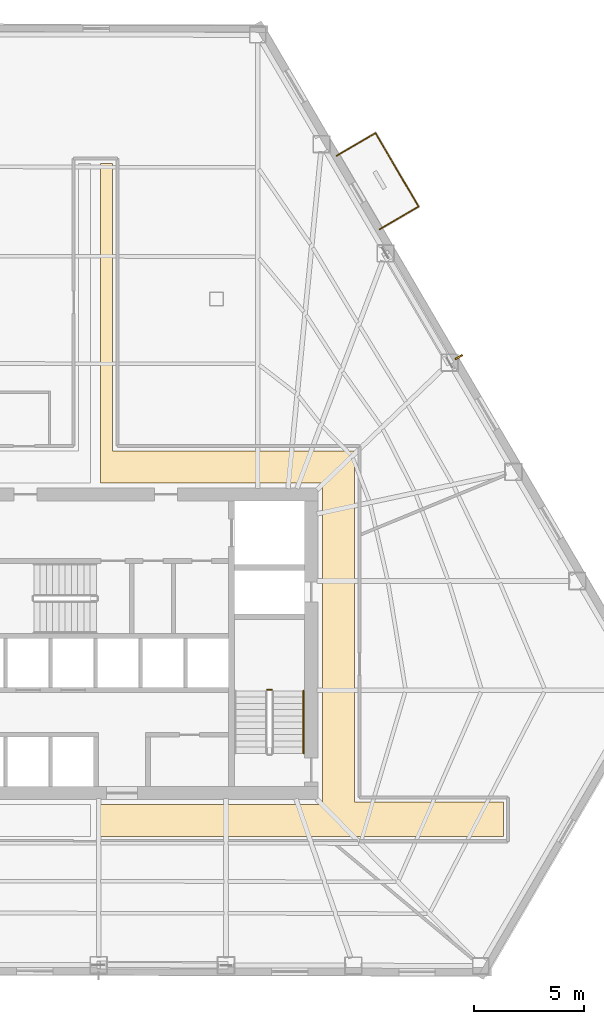
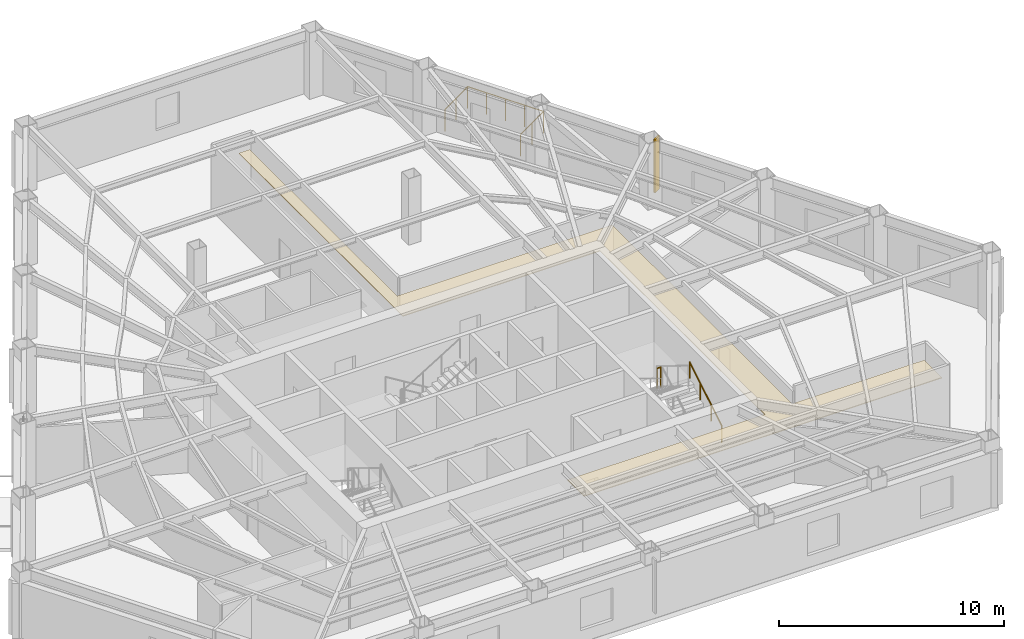
# One storey, part 11 of 11: 5 railings, 1 covering, 1 shading device.
"""IFC4 building model written with IfcOpenShell, lengths in metres."""

from ifc_helpers import new_model, si_unit, direction, frame, origin, origin_2d, place, context, subcontext, project, spatial, polyline, rectangle, circle, outline, extrude, material, layer, layer_set, type_object, element, save


model = new_model("IFC4")

# Units and contexts
model_context = context("Model", 3, precision=1e-05, world=origin(), true_north=direction((0.0, 1.0)))
body_context = subcontext(model_context, "Body", "Model", "MODEL_VIEW")
ifc_project = project(units=[si_unit("LENGTHUNIT", "METRE"), si_unit("AREAUNIT", "SQUARE_METRE"), si_unit("VOLUMEUNIT", "CUBIC_METRE"), si_unit("PLANEANGLEUNIT", "RADIAN"), si_unit("MASSUNIT", "GRAM", prefix="KILO")], contexts=[model_context])

# Site, building, storey
site_placement = place(None, origin())
site = spatial("IfcSite", under=ifc_project, at=site_placement, CompositionType="ELEMENT")
building_placement = place(site_placement, origin())
building = spatial("IfcBuilding", under=site, at=building_placement, Name="Kavelnor Concourse Tower", CompositionType="ELEMENT")
storey_placement = place(building_placement, frame((0.0, 0.0, 56.050048828125)))
storey = spatial("IfcBuildingStorey", under=building, at=storey_placement, Name="L14", CompositionType="ELEMENT", Elevation=56.050048828125)

# Covering
ifc_material_1 = material(Name="Mineral fibre acoustic ceiling tile")
ifc_layer_1 = layer(ifc_material_1, 0.0400390625, Name="Mineral fibre acoustic ceiling tile")
ifc_layer_set_1 = layer_set([ifc_layer_1], Name="Mineral fibre acoustic ceiling tile")
covering_type = type_object("IfcCoveringType", Name="COV-CEILING-ACOUSTIC", PredefinedType="CEILING", material=ifc_layer_set_1)
covering_placement = place(storey_placement, frame((0.0, 0.0, 2.75)))
element("IfcCovering", 1, at=covering_placement, inside=storey, type_object=covering_type, Name="L14 Suspended Acoustic Ceiling", PredefinedType="CEILING", context=body_context, shape_type="SweptSolid", body=[
    extrude(outline(polyline([(38.780029296875, 37.97998046875), (38.780029296875, 24.8798828125), (49.800048828125, 24.8798828125), (49.800048828125, 8.8798828125), (56.5693359375, 8.8798828125), (56.5693359375, 7.320068359375), (38.22509765625, 7.320068359375), (38.22509765625, 8.780029296875), (48.340087890625, 8.780029296875), (48.340087890625, 23.419921875), (38.22509765625, 23.419921875), (38.22509765625, 37.97998046875), (38.780029296875, 37.97998046875)])), origin(), (0.0, 0.0, 1.0), 0.0400390625),
])

# Railings
ifc_material_2 = material(Name="Steel Grade 350", Category="steel")
railing_type_1 = type_object("IfcRailingType", Name="RLG-GUARD-1100", PredefinedType="GUARDRAIL", material=ifc_material_2)
railing_1_placement = place(storey_placement, frame((46.02001953125, 14.0, 1.925048828125)))
element("IfcRailing", 2, at=railing_1_placement, inside=storey, type_object=railing_type_1, Name="L14 ST2 stair guard 2", PredefinedType="GUARDRAIL", context=body_context, shape_type="SweptSolid", body=[
    extrude(circle(Radius=0.02392578125, at=origin_2d()), frame((0.0, 0.0, 1.076171875), z_axis=(-1.0, 0.0, 0.0), x_axis=(0.0, -1.0, 0.0)), (0.0, 0.0, 1.0), 0.199951171875),
    extrude(circle(Radius=0.02099609375, at=origin_2d()), origin(), (0.0, 0.0, 1.0), 1.052001953125),
    extrude(circle(Radius=0.02099609375, at=origin_2d()), frame((-0.199951171875, 0.0, 0.0)), (0.0, 0.0, 1.0), 1.052001953125),
])
railing_type_2 = type_object("IfcRailingType", Name="RLG-HANDRAIL-900", PredefinedType="HANDRAIL", material=ifc_material_2)
railing_2_placement = place(storey_placement, frame((47.469970703125, 11.10009765625, 0.175048828125)))
element("IfcRailing", 3, at=railing_2_placement, inside=storey, type_object=railing_type_2, Name="L14 ST2 stair handrail 1", PredefinedType="HANDRAIL", context=body_context, shape_type="SweptSolid", body=[
    extrude(circle(Radius=0.02392578125, at=origin_2d()), frame((0.0, 0.0, 0.8759765625), z_axis=(0.0, 0.852159232446, 0.523282564737), x_axis=(-1.0, 0.0, 0.0)), (0.0, 0.0, 1.0), 3.34423828125),
    extrude(circle(Radius=0.02099609375, at=origin_2d()), origin(), (0.0, 0.0, 1.0), 0.851806640625),
    extrude(circle(Radius=0.02099609375, at=origin_2d()), frame((0.0, 0.949951171875, 0.583251953125)), (0.0, 0.0, 1.0), 0.851806640625),
    extrude(circle(Radius=0.02099609375, at=origin_2d()), frame((0.0, 1.89990234375, 1.166748046875)), (0.0, 0.0, 1.0), 0.851806640625),
    extrude(circle(Radius=0.02099609375, at=origin_2d()), frame((0.0, 2.849853515625, 1.75)), (0.0, 0.0, 1.0), 0.851806640625),
])
ifc_material_3 = material(Name="Architectural bronze-anodised aluminium", Category="aluminium")
railing_type_3 = type_object("IfcRailingType", Name="RLG-TERRACE-1200", PredefinedType="BALUSTRADE", material=ifc_material_3)
railing_3_placement = place(storey_placement, frame((50.940185546875, 34.972412109375, 0.0)))
element("IfcRailing", 4, at=railing_3_placement, inside=storey, type_object=railing_type_3, Name="L14 Tree Balcony 1 Guardrail L", PredefinedType="BALUSTRADE", context=body_context, shape_type="SweptSolid", body=[
    extrude(circle(Radius=0.02392578125, at=origin_2d()), frame((0.0, 0.0, 1.17578125), z_axis=(0.862887812502, 0.505395511491, 0.0), x_axis=(-0.505395511491, 0.862887812502, 0.0)), (0.0, 0.0, 1.0), 2.050048828125),
    extrude(circle(Radius=0.02099609375, at=origin_2d()), origin(), (0.0, 0.0, 1.0), 1.15185546875),
    extrude(circle(Radius=0.02099609375, at=origin_2d()), frame((0.884521484375, 0.51806640625, 0.0)), (0.0, 0.0, 1.0), 1.15185546875),
    extrude(circle(Radius=0.02099609375, at=origin_2d()), frame((1.76904296875, 1.0361328125, 0.0)), (0.0, 0.0, 1.0), 1.15185546875),
])
railing_4_placement = place(storey_placement, frame((52.709228515625, 36.008544921875, 0.0)))
element("IfcRailing", 5, at=railing_4_placement, inside=storey, type_object=railing_type_3, Name="L14 Tree Balcony 1 Guardrail F", PredefinedType="BALUSTRADE", context=body_context, shape_type="SweptSolid", body=[
    extrude(circle(Radius=0.02392578125, at=origin_2d()), frame((0.0, 0.0, 1.17578125), z_axis=(-0.505286646666, 0.862951565675, 0.0), x_axis=(-0.862951565675, -0.505286646666, 0.0)), (0.0, 0.0, 1.0), 3.8798828125),
    extrude(circle(Radius=0.02099609375, at=origin_2d()), origin(), (0.0, 0.0, 1.0), 1.15185546875),
    extrude(circle(Radius=0.02099609375, at=origin_2d()), frame((-0.490234375, 0.8369140625, 0.0)), (0.0, 0.0, 1.0), 1.15185546875),
    extrude(circle(Radius=0.02099609375, at=origin_2d()), frame((-0.980224609375, 1.674072265625, 0.0)), (0.0, 0.0, 1.0), 1.15185546875),
    extrude(circle(Radius=0.02099609375, at=origin_2d()), frame((-1.47021484375, 2.51123046875, 0.0)), (0.0, 0.0, 1.0), 1.15185546875),
    extrude(circle(Radius=0.02099609375, at=origin_2d()), frame((-1.96044921875, 3.34814453125, 0.0)), (0.0, 0.0, 1.0), 1.15185546875),
])
railing_5_placement = place(storey_placement, frame((50.748779296875, 39.356689453125, 0.0)))
element("IfcRailing", 6, at=railing_5_placement, inside=storey, type_object=railing_type_3, Name="L14 Tree Balcony 1 Guardrail R", PredefinedType="BALUSTRADE", context=body_context, shape_type="SweptSolid", body=[
    extrude(circle(Radius=0.02392578125, at=origin_2d()), frame((0.0, 0.0, 1.17578125), z_axis=(-0.86293974387, -0.505306835942, 0.0), x_axis=(0.505306835942, -0.86293974387, 0.0)), (0.0, 0.0, 1.0), 2.050048828125),
    extrude(circle(Radius=0.02099609375, at=origin_2d()), origin(), (0.0, 0.0, 1.0), 1.15185546875),
    extrude(circle(Radius=0.02099609375, at=origin_2d()), frame((-0.884521484375, -0.51806640625, 0.0)), (0.0, 0.0, 1.0), 1.15185546875),
    extrude(circle(Radius=0.02099609375, at=origin_2d()), frame((-1.76904296875, -1.035888671875, 0.0)), (0.0, 0.0, 1.0), 1.15185546875),
])

# Shading device
ifc_layer_2 = layer(ifc_material_3, 0.06005859375, Name="Architectural bronze-anodised aluminium")
ifc_layer_set_2 = layer_set([ifc_layer_2], Name="Architectural bronze-anodised aluminium")
shading_device_type = type_object("IfcShadingDeviceType", Name="SHD-SOLAR-FIN", PredefinedType="JALOUSIE", material=ifc_layer_set_2)
shading_device_placement = place(storey_placement, frame((54.544921875, 29.1533203125, 0.39990234375), z_axis=(0.0, 0.0, 1.0), x_axis=(0.862954938496, 0.505280886365, 0.0)))
element("IfcShadingDevice", 7, at=shading_device_placement, inside=storey, type_object=shading_device_type, Name="L14 Bronze Pier Solar Fin F2", PredefinedType="JALOUSIE", context=body_context, shape_type="SweptSolid", body=[
    extrude(rectangle(XDim=0.3798828125, YDim=0.080078125, at=origin_2d()), origin(), (0.0, 0.0, 1.0), 2.89990234375),
])

save(model, "model.ifc")
